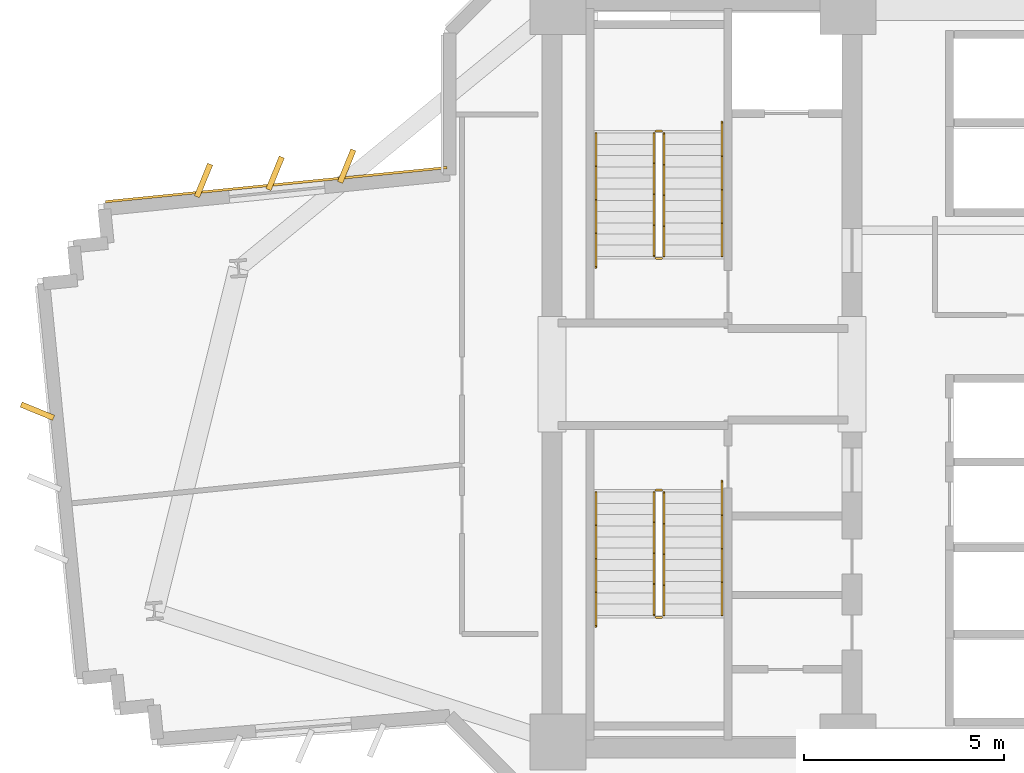
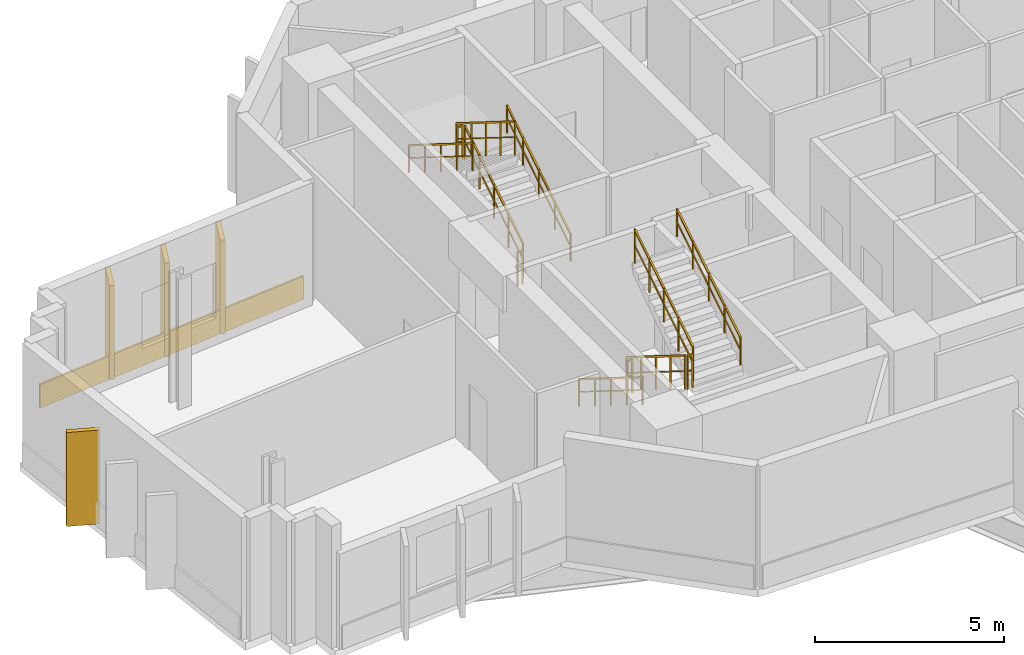
# One storey, part 12 of 14: 12 railings, 5 coverings.
"""IFC4 building model written with IfcOpenShell, lengths in metres."""

from ifc_helpers import new_model, si_unit, direction, frame, origin, origin_2d, place, context, subcontext, project, spatial, rectangle, extrude, source, transform, mapped, material, layer, layer_set, type_object, element, save


model = new_model("IFC4")

# Units and contexts
model_context = context("Model", 3, precision=1e-05, world=origin(), true_north=direction((0.0, 1.0)))
body_context = subcontext(model_context, "Body", "Model", "MODEL_VIEW")
ifc_project = project(units=[si_unit("LENGTHUNIT", "METRE"), si_unit("AREAUNIT", "SQUARE_METRE"), si_unit("VOLUMEUNIT", "CUBIC_METRE"), si_unit("PLANEANGLEUNIT", "RADIAN"), si_unit("MASSUNIT", "GRAM", prefix="KILO")], contexts=[model_context])

# Site, building, storey
site_placement = place(None, origin())
site = spatial("IfcSite", under=ifc_project, at=site_placement, CompositionType="ELEMENT")
building_placement = place(site_placement, origin())
building = spatial("IfcBuilding", under=site, at=building_placement, Name="Zahravan Cultural Tower", CompositionType="ELEMENT")
storey_placement = place(building_placement, frame((0.0, 0.0, 92.10009765625)))
storey = spatial("IfcBuildingStorey", under=building, at=storey_placement, Name="L20", CompositionType="ELEMENT", Elevation=92.10009765625)

# Railings
ifc_material_1 = material(Name="Steel ASTM A572 Grade 50", Category="steel")
railing_type_1 = type_object("IfcRailingType", Name="RL-STAIR-GRD1150", PredefinedType="BALUSTRADE", material=ifc_material_1)
railing_1_placement = place(storey_placement, frame((24.300048828125, 29.949951171875, 0.1748046875)))
element("IfcRailing", 1, at=railing_1_placement, inside=storey, type_object=railing_type_1, Name="L20 ST-W1 stair guard 1", PredefinedType="BALUSTRADE", context=body_context, shape_type="SweptSolid", body=[
    extrude(rectangle(XDim=0.05, YDim=0.05, at=origin_2d()), frame((0.0, 0.0, 1.0751953125), z_axis=(0.0, 0.847998304005, 0.529998940003), x_axis=(-1.0, 0.0, 0.0)), (0.0, 0.0, 1.0), 3.632080078125),
    extrude(rectangle(XDim=0.032, YDim=0.032, at=origin_2d()), frame((0.0, 0.0, 0.572021484375), z_axis=(0.0, 0.847998304005, 0.529998940003), x_axis=(-1.0, 0.0, 0.0)), (0.0, 0.0, 1.0), 3.632080078125),
    extrude(rectangle(XDim=0.04, YDim=0.04, at=origin_2d()), origin(), (0.0, 0.0, 1.0), 1.10009765625),
    extrude(rectangle(XDim=0.04, YDim=0.04, at=origin_2d()), frame((0.0, 0.77001953125, 0.481201171875)), (0.0, 0.0, 1.0), 1.10009765625),
    extrude(rectangle(XDim=0.04, YDim=0.04, at=origin_2d()), frame((0.0, 1.5400390625, 0.96240234375)), (0.0, 0.0, 1.0), 1.10009765625),
    extrude(rectangle(XDim=0.04, YDim=0.04, at=origin_2d()), frame((0.0, 2.31005859375, 1.44384765625)), (0.0, 0.0, 1.0), 1.10009765625),
    extrude(rectangle(XDim=0.04, YDim=0.04, at=origin_2d()), frame((0.0, 3.080078125, 1.925048828125)), (0.0, 0.0, 1.0), 1.10009765625),
])
railing_2_placement = place(storey_placement, frame((24.25, 33.080078125, 2.099853515625)))
element("IfcRailing", 2, at=railing_2_placement, inside=storey, type_object=railing_type_1, Name="L20 ST-W1 stair guard 2", PredefinedType="BALUSTRADE", context=body_context, shape_type="SweptSolid", body=[
    extrude(rectangle(XDim=0.05, YDim=0.05, at=origin_2d()), frame((0.0, 0.0, 1.0751953125), z_axis=(-1.0, 0.0, 0.0), x_axis=(0.0, -1.0, 0.0)), (0.0, 0.0, 1.0), 0.14990234375),
    extrude(rectangle(XDim=0.032, YDim=0.032, at=origin_2d()), frame((0.0, 0.0, 0.572021484375), z_axis=(-1.0, 0.0, 0.0), x_axis=(0.0, -1.0, 0.0)), (0.0, 0.0, 1.0), 0.14990234375),
    extrude(rectangle(XDim=0.04, YDim=0.04, at=origin_2d()), origin(), (0.0, 0.0, 1.0), 1.10009765625),
    extrude(rectangle(XDim=0.04, YDim=0.04, at=origin_2d()), frame((-0.14990234375, 0.0, 0.0)), (0.0, 0.0, 1.0), 1.10009765625),
])
railing_3_placement = place(storey_placement, frame((24.050048828125, 33.030029296875, 2.27490234375)))
element("IfcRailing", 3, at=railing_3_placement, inside=storey, type_object=railing_type_1, Name="L20 ST-W1 stair guard 3", PredefinedType="BALUSTRADE", context=body_context, shape_type="SweptSolid", body=[
    extrude(rectangle(XDim=0.05, YDim=0.05, at=origin_2d()), frame((0.0, 0.0, 1.0751953125), z_axis=(0.0, -0.847998304005, 0.529998940003), x_axis=(1.0, 0.0, 0.0)), (0.0, 0.0, 1.0), 3.632080078125),
    extrude(rectangle(XDim=0.032, YDim=0.032, at=origin_2d()), frame((0.0, 0.0, 0.572021484375), z_axis=(0.0, -0.847998304005, 0.529998940003), x_axis=(1.0, 0.0, 0.0)), (0.0, 0.0, 1.0), 3.632080078125),
    extrude(rectangle(XDim=0.04, YDim=0.04, at=origin_2d()), origin(), (0.0, 0.0, 1.0), 1.10009765625),
    extrude(rectangle(XDim=0.04, YDim=0.04, at=origin_2d()), frame((0.0, -0.77001953125, 0.481201171875)), (0.0, 0.0, 1.0), 1.10009765625),
    extrude(rectangle(XDim=0.04, YDim=0.04, at=origin_2d()), frame((0.0, -1.5400390625, 0.96240234375)), (0.0, 0.0, 1.0), 1.10009765625),
    extrude(rectangle(XDim=0.04, YDim=0.04, at=origin_2d()), frame((0.0, -2.31005859375, 1.44384765625)), (0.0, 0.0, 1.0), 1.10009765625),
    extrude(rectangle(XDim=0.04, YDim=0.04, at=origin_2d()), frame((0.0, -3.080078125, 1.925048828125)), (0.0, 0.0, 1.0), 1.10009765625),
])
railing_4_placement = place(storey_placement, frame((24.25, 29.89990234375, 0.0)))
element("IfcRailing", 4, at=railing_4_placement, inside=storey, type_object=railing_type_1, Name="L20 ST-W1 stair guard 4", PredefinedType="BALUSTRADE", context=body_context, shape_type="SweptSolid", body=[
    extrude(rectangle(XDim=0.05, YDim=0.05, at=origin_2d()), frame((0.0, 0.0, 1.0751953125), z_axis=(-1.0, 0.0, 0.0), x_axis=(0.0, -1.0, 0.0)), (0.0, 0.0, 1.0), 0.14990234375),
    extrude(rectangle(XDim=0.032, YDim=0.032, at=origin_2d()), frame((0.0, 0.0, 0.572021484375), z_axis=(-1.0, 0.0, 0.0), x_axis=(0.0, -1.0, 0.0)), (0.0, 0.0, 1.0), 0.14990234375),
    extrude(rectangle(XDim=0.04, YDim=0.04, at=origin_2d()), origin(), (0.0, 0.0, 1.0), 1.10009765625),
    extrude(rectangle(XDim=0.04, YDim=0.04, at=origin_2d()), frame((-0.14990234375, 0.0, 0.0)), (0.0, 0.0, 1.0), 1.10009765625),
])
railing_5_placement = place(storey_placement, frame((24.050048828125, 24.050048828125, 0.1748046875)))
element("IfcRailing", 5, at=railing_5_placement, inside=storey, type_object=railing_type_1, Name="L20 ST-W2 stair guard 1", PredefinedType="BALUSTRADE", context=body_context, shape_type="SweptSolid", body=[
    extrude(rectangle(XDim=0.05, YDim=0.05, at=origin_2d()), frame((0.0, 0.0, 1.0751953125), z_axis=(0.0, -0.847998304005, 0.529998940003), x_axis=(1.0, 0.0, 0.0)), (0.0, 0.0, 1.0), 3.632080078125),
    extrude(rectangle(XDim=0.032, YDim=0.032, at=origin_2d()), frame((0.0, 0.0, 0.572021484375), z_axis=(0.0, -0.847998304005, 0.529998940003), x_axis=(1.0, 0.0, 0.0)), (0.0, 0.0, 1.0), 3.632080078125),
    extrude(rectangle(XDim=0.04, YDim=0.04, at=origin_2d()), origin(), (0.0, 0.0, 1.0), 1.10009765625),
    extrude(rectangle(XDim=0.04, YDim=0.04, at=origin_2d()), frame((0.0, -0.77001953125, 0.481201171875)), (0.0, 0.0, 1.0), 1.10009765625),
    extrude(rectangle(XDim=0.04, YDim=0.04, at=origin_2d()), frame((0.0, -1.5400390625, 0.96240234375)), (0.0, 0.0, 1.0), 1.10009765625),
    extrude(rectangle(XDim=0.04, YDim=0.04, at=origin_2d()), frame((0.0, -2.31005859375, 1.44384765625)), (0.0, 0.0, 1.0), 1.10009765625),
    extrude(rectangle(XDim=0.04, YDim=0.04, at=origin_2d()), frame((0.0, -3.080078125, 1.925048828125)), (0.0, 0.0, 1.0), 1.10009765625),
])
railing_6_placement = place(storey_placement, frame((24.10009765625, 20.919921875, 2.099853515625)))
element("IfcRailing", 6, at=railing_6_placement, inside=storey, type_object=railing_type_1, Name="L20 ST-W2 stair guard 2", PredefinedType="BALUSTRADE", context=body_context, shape_type="SweptSolid", body=[
    extrude(rectangle(XDim=0.05, YDim=0.05, at=origin_2d()), frame((0.0, 0.0, 1.0751953125), z_axis=(1.0, 0.0, 0.0), x_axis=(0.0, 1.0, 0.0)), (0.0, 0.0, 1.0), 0.14990234375),
    extrude(rectangle(XDim=0.032, YDim=0.032, at=origin_2d()), frame((0.0, 0.0, 0.572021484375), z_axis=(1.0, 0.0, 0.0), x_axis=(0.0, 1.0, 0.0)), (0.0, 0.0, 1.0), 0.14990234375),
    extrude(rectangle(XDim=0.04, YDim=0.04, at=origin_2d()), origin(), (0.0, 0.0, 1.0), 1.10009765625),
    extrude(rectangle(XDim=0.04, YDim=0.04, at=origin_2d()), frame((0.14990234375, 0.0, 0.0)), (0.0, 0.0, 1.0), 1.10009765625),
])
railing_7_placement = place(storey_placement, frame((24.300048828125, 20.969970703125, 2.27490234375)))
element("IfcRailing", 7, at=railing_7_placement, inside=storey, type_object=railing_type_1, Name="L20 ST-W2 stair guard 3", PredefinedType="BALUSTRADE", context=body_context, shape_type="SweptSolid", body=[
    extrude(rectangle(XDim=0.05, YDim=0.05, at=origin_2d()), frame((0.0, 0.0, 1.0751953125), z_axis=(0.0, 0.847998304005, 0.529998940003), x_axis=(-1.0, 0.0, 0.0)), (0.0, 0.0, 1.0), 3.632080078125),
    extrude(rectangle(XDim=0.032, YDim=0.032, at=origin_2d()), frame((0.0, 0.0, 0.572021484375), z_axis=(0.0, 0.847998304005, 0.529998940003), x_axis=(-1.0, 0.0, 0.0)), (0.0, 0.0, 1.0), 3.632080078125),
    extrude(rectangle(XDim=0.04, YDim=0.04, at=origin_2d()), origin(), (0.0, 0.0, 1.0), 1.10009765625),
    extrude(rectangle(XDim=0.04, YDim=0.04, at=origin_2d()), frame((0.0, 0.77001953125, 0.481201171875)), (0.0, 0.0, 1.0), 1.10009765625),
    extrude(rectangle(XDim=0.04, YDim=0.04, at=origin_2d()), frame((0.0, 1.5400390625, 0.96240234375)), (0.0, 0.0, 1.0), 1.10009765625),
    extrude(rectangle(XDim=0.04, YDim=0.04, at=origin_2d()), frame((0.0, 2.31005859375, 1.44384765625)), (0.0, 0.0, 1.0), 1.10009765625),
    extrude(rectangle(XDim=0.04, YDim=0.04, at=origin_2d()), frame((0.0, 3.080078125, 1.925048828125)), (0.0, 0.0, 1.0), 1.10009765625),
])
railing_8_placement = place(storey_placement, frame((24.10009765625, 24.10009765625, 0.0)))
element("IfcRailing", 8, at=railing_8_placement, inside=storey, type_object=railing_type_1, Name="L20 ST-W2 stair guard 4", PredefinedType="BALUSTRADE", context=body_context, shape_type="SweptSolid", body=[
    extrude(rectangle(XDim=0.05, YDim=0.05, at=origin_2d()), frame((0.0, 0.0, 1.0751953125), z_axis=(1.0, 0.0, 0.0), x_axis=(0.0, 1.0, 0.0)), (0.0, 0.0, 1.0), 0.14990234375),
    extrude(rectangle(XDim=0.032, YDim=0.032, at=origin_2d()), frame((0.0, 0.0, 0.572021484375), z_axis=(1.0, 0.0, 0.0), x_axis=(0.0, 1.0, 0.0)), (0.0, 0.0, 1.0), 0.14990234375),
    extrude(rectangle(XDim=0.04, YDim=0.04, at=origin_2d()), origin(), (0.0, 0.0, 1.0), 1.10009765625),
    extrude(rectangle(XDim=0.04, YDim=0.04, at=origin_2d()), frame((0.14990234375, 0.0, 0.0)), (0.0, 0.0, 1.0), 1.10009765625),
])
railing_type_2 = type_object("IfcRailingType", Name="RL-STAIR-HR900", PredefinedType="HANDRAIL", material=ifc_material_1)
railing_9_placement = place(storey_placement, frame((25.75, 29.949951171875, 0.1748046875)))
element("IfcRailing", 9, at=railing_9_placement, inside=storey, type_object=railing_type_2, Name="L20 ST-W1 stair handrail 1", PredefinedType="HANDRAIL", context=body_context, shape_type="SweptSolid", body=[
    extrude(rectangle(XDim=0.05, YDim=0.05, at=origin_2d()), frame((0.0, 0.0, 0.875), z_axis=(0.0, 0.847994842521, 0.530004478338), x_axis=(-1.0, 0.0, 0.0)), (0.0, 0.0, 1.0), 3.96240234375),
    extrude(rectangle(XDim=0.032, YDim=0.032, at=origin_2d()), frame((0.0, 0.0, 0.468017578125), z_axis=(0.0, 0.847994842521, 0.530004478338), x_axis=(-1.0, 0.0, 0.0)), (0.0, 0.0, 1.0), 3.96240234375),
    extrude(rectangle(XDim=0.04, YDim=0.04, at=origin_2d()), origin(), (0.0, 0.0, 1.0), 0.89990234375),
    extrude(rectangle(XDim=0.04, YDim=0.04, at=origin_2d()), frame((0.0, 0.840087890625, 0.52490234375)), (0.0, 0.0, 1.0), 0.89990234375),
    extrude(rectangle(XDim=0.04, YDim=0.04, at=origin_2d()), frame((0.0, 1.68017578125, 1.050048828125)), (0.0, 0.0, 1.0), 0.89990234375),
    extrude(rectangle(XDim=0.04, YDim=0.04, at=origin_2d()), frame((0.0, 2.52001953125, 1.5751953125)), (0.0, 0.0, 1.0), 0.89990234375),
    extrude(rectangle(XDim=0.04, YDim=0.04, at=origin_2d()), frame((0.0, 3.360107421875, 2.10009765625)), (0.0, 0.0, 1.0), 0.89990234375),
])
for number, where, name in (
    (10, (22.60009765625, 33.030029296875, 2.27490234375), "L20 ST-W1 stair handrail 2"),
    (11, (22.60009765625, 24.050048828125, 0.1748046875), "L20 ST-W2 stair handrail 1"),
):
    element("IfcRailing", number, at=place(storey_placement, frame(where)), inside=storey, type_object=railing_type_2, Name=name, PredefinedType="HANDRAIL", context=body_context, shape_type="SweptSolid", body=[
        extrude(rectangle(XDim=0.05, YDim=0.05, at=origin_2d()), frame((0.0, 0.0, 0.875), z_axis=(0.0, -0.847994842521, 0.530004478338), x_axis=(1.0, 0.0, 0.0)), (0.0, 0.0, 1.0), 3.96240234375),
        extrude(rectangle(XDim=0.032, YDim=0.032, at=origin_2d()), frame((0.0, 0.0, 0.468017578125), z_axis=(0.0, -0.847994842521, 0.530004478338), x_axis=(1.0, 0.0, 0.0)), (0.0, 0.0, 1.0), 3.96240234375),
        extrude(rectangle(XDim=0.04, YDim=0.04, at=origin_2d()), origin(), (0.0, 0.0, 1.0), 0.89990234375),
        extrude(rectangle(XDim=0.04, YDim=0.04, at=origin_2d()), frame((0.0, -0.840087890625, 0.52490234375)), (0.0, 0.0, 1.0), 0.89990234375),
        extrude(rectangle(XDim=0.04, YDim=0.04, at=origin_2d()), frame((0.0, -1.68017578125, 1.050048828125)), (0.0, 0.0, 1.0), 0.89990234375),
        extrude(rectangle(XDim=0.04, YDim=0.04, at=origin_2d()), frame((0.0, -2.52001953125, 1.5751953125)), (0.0, 0.0, 1.0), 0.89990234375),
        extrude(rectangle(XDim=0.04, YDim=0.04, at=origin_2d()), frame((0.0, -3.360107421875, 2.10009765625)), (0.0, 0.0, 1.0), 0.89990234375),
    ])
railing_10_placement = place(storey_placement, frame((25.75, 20.969970703125, 2.27490234375)))
element("IfcRailing", 12, at=railing_10_placement, inside=storey, type_object=railing_type_2, Name="L20 ST-W2 stair handrail 2", PredefinedType="HANDRAIL", context=body_context, shape_type="SweptSolid", body=[
    extrude(rectangle(XDim=0.05, YDim=0.05, at=origin_2d()), frame((0.0, 0.0, 0.875), z_axis=(0.0, 0.847994842521, 0.530004478338), x_axis=(-1.0, 0.0, 0.0)), (0.0, 0.0, 1.0), 3.96240234375),
    extrude(rectangle(XDim=0.032, YDim=0.032, at=origin_2d()), frame((0.0, 0.0, 0.468017578125), z_axis=(0.0, 0.847994842521, 0.530004478338), x_axis=(-1.0, 0.0, 0.0)), (0.0, 0.0, 1.0), 3.96240234375),
    extrude(rectangle(XDim=0.04, YDim=0.04, at=origin_2d()), origin(), (0.0, 0.0, 1.0), 0.89990234375),
    extrude(rectangle(XDim=0.04, YDim=0.04, at=origin_2d()), frame((0.0, 0.840087890625, 0.52490234375)), (0.0, 0.0, 1.0), 0.89990234375),
    extrude(rectangle(XDim=0.04, YDim=0.04, at=origin_2d()), frame((0.0, 1.68017578125, 1.050048828125)), (0.0, 0.0, 1.0), 0.89990234375),
    extrude(rectangle(XDim=0.04, YDim=0.04, at=origin_2d()), frame((0.0, 2.52001953125, 1.5751953125)), (0.0, 0.0, 1.0), 0.89990234375),
    extrude(rectangle(XDim=0.04, YDim=0.04, at=origin_2d()), frame((0.0, 3.360107421875, 2.10009765625)), (0.0, 0.0, 1.0), 0.89990234375),
])

# Coverings
ifc_material_2 = material(Name="Terracotta ceramic cladding", Category="masonry")
ifc_layer = layer(ifc_material_2, 0.06005859375)
ifc_layer_set = layer_set([ifc_layer], Name="Terracotta ceramic cladding")
covering_type = type_object("IfcCoveringType", Name="COV-CLAD-TC60", PredefinedType="CLADDING", material=ifc_layer_set)
shared_shape_1 = source(origin(), body_context, "Body", "SweptSolid", [
    extrude(rectangle(XDim=0.8798828125, YDim=0.139892578125, at=origin_2d()), origin(), (0.0, 0.0, 1.0), 3.030029296875),
])
for number, where, z_axis, x_axis, name in (
    (13, (8.62646484375, 26.07666015625, 0.0498046875), (0.0, 0.0, 1.0), (-0.925209718386, 0.379456159529, 0.0), "L20 Herringbone Terracotta Fin 06"),
    (14, (12.78369140625, 31.84814453125, 0.0498046875), (0.0, 0.0, 1.0), (0.379456159529, 0.925209718386, 0.0), "L20 Herringbone Terracotta Fin 07"),
    (15, (14.57470703125, 32.02685546875, 0.0498046875), (0.0, 0.0, 1.0), (0.379456159529, 0.925209718386, 0.0), "L20 Herringbone Terracotta Fin 08"),
    (16, (16.365966796875, 32.205810546875, 0.0498046875), (0.0, 0.0, 1.0), (0.379456159529, 0.925209718386, 0.0), "L20 Herringbone Terracotta Fin 09"),
):
    element("IfcCovering", number, at=place(storey_placement, frame(where, z_axis=z_axis, x_axis=x_axis)), inside=storey, type_object=covering_type, Name=name, PredefinedType="CLADDING", context=body_context, shape_type="MappedRepresentation", body=[
        mapped(shared_shape_1, transform((0.0, 0.0, 0.0), x_axis=(1.0, 0.0, 0.0), y_axis=(0.0, 1.0, 0.0), z_axis=(0.0, 0.0, 1.0), scale=1.0)),
    ])
shared_shape_2 = source(origin(), body_context, "Body", "SweptSolid", [
    extrude(rectangle(XDim=8.580078125, YDim=0.06005859375, at=origin_2d()), origin(), (0.0, 0.0, 1.0), 0.760009765625),
])
covering_placement = place(storey_placement, frame((14.60302734375, 31.743408203125, 0.02001953125), z_axis=(0.0, 0.0, 1.0), x_axis=(0.995055569961, 0.099319749744, 0.0)))
element("IfcCovering", 17, at=covering_placement, inside=storey, type_object=covering_type, Name="L20 Terracotta Spandrel Cladding 11", PredefinedType="CLADDING", context=body_context, shape_type="MappedRepresentation", body=[
    mapped(shared_shape_2, transform((0.0, 0.0, 0.0), x_axis=(1.0, 0.0, 0.0), y_axis=(0.0, 1.0, 0.0), z_axis=(0.0, 0.0, 1.0), scale=1.0)),
])

save(model, "model.ifc")
